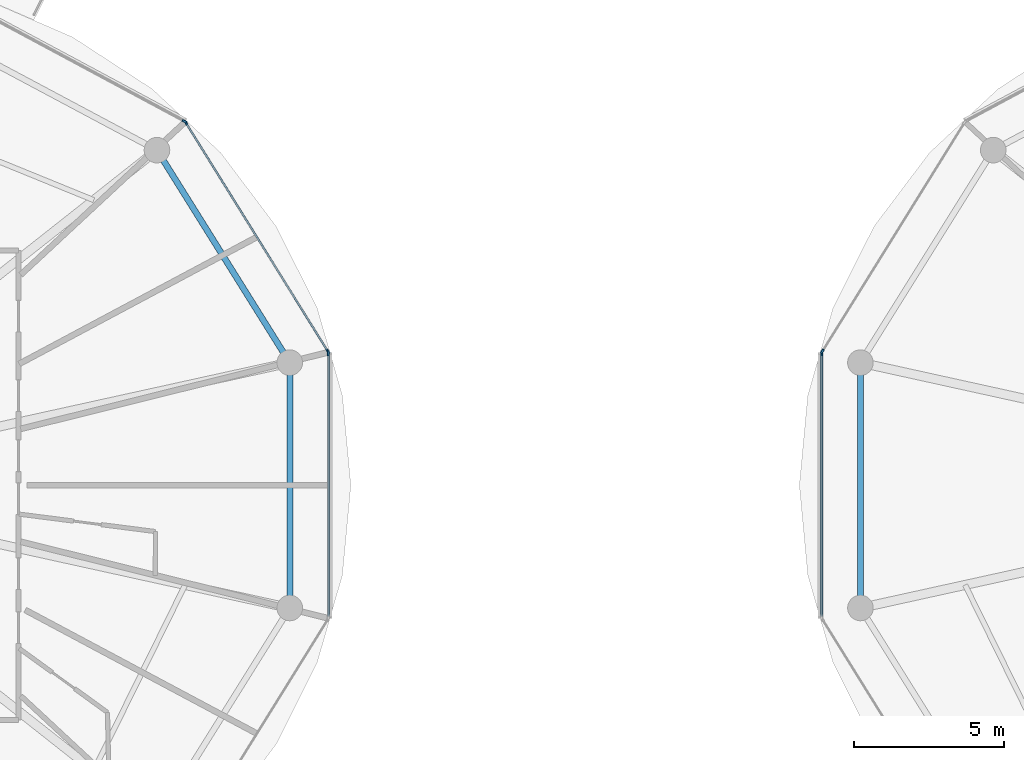
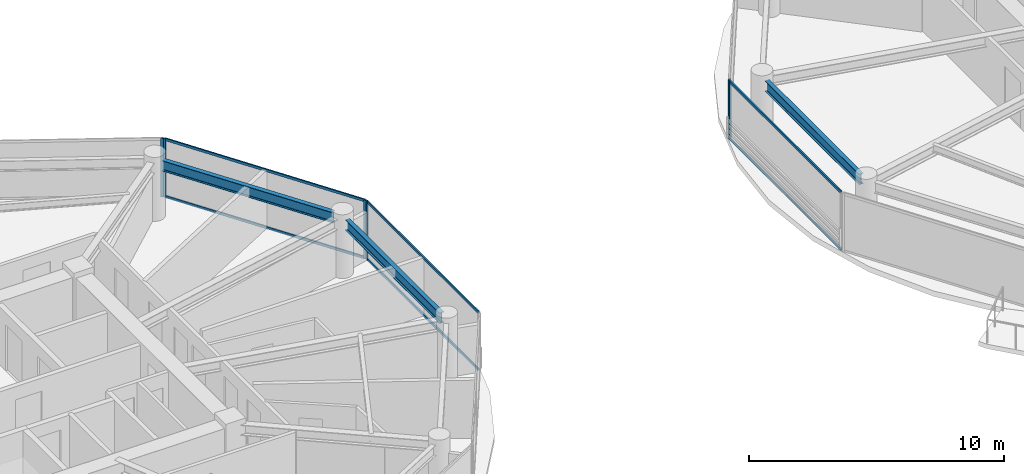
# One storey, part 7 of 24: 12 members, 3 beams, 5 elements without a shape of their own.
"""IFC4 building model written with IfcOpenShell, lengths in metres."""

from ifc_helpers import new_model, si_unit, direction, frame, origin, origin_2d, place, context, subcontext, project, spatial, rectangle, i_section, extrude, source, transform, mapped, material, layer, layer_set, material_profile, profile_set, type_object, type_shapes, element, aggregate, save


model = new_model("IFC4")

# Units and contexts
model_context = context("Model", 3, precision=1e-05, world=origin(), true_north=direction((0.0, 1.0)))
body_context = subcontext(model_context, "Body", "Model", "MODEL_VIEW")
ifc_project = project(units=[si_unit("LENGTHUNIT", "METRE"), si_unit("AREAUNIT", "SQUARE_METRE"), si_unit("VOLUMEUNIT", "CUBIC_METRE"), si_unit("PLANEANGLEUNIT", "RADIAN"), si_unit("MASSUNIT", "GRAM", prefix="KILO")], contexts=[model_context])

# Site, building, storey
site_placement = place(None, origin())
site = spatial("IfcSite", under=ifc_project, at=site_placement, CompositionType="ELEMENT")
building_placement = place(site_placement, origin())
building = spatial("IfcBuilding", under=site, at=building_placement, Name="Norrkilde Senior Care Towers", CompositionType="ELEMENT")
storey_placement = place(building_placement, frame((0.0, 0.0, 90.14990234375)))
storey = spatial("IfcBuildingStorey", under=building, at=storey_placement, Name="L27", CompositionType="ELEMENT", Elevation=90.14990234375)

# Beams
ifc_material_1 = material(Name="Steel S355", Category="steel")
ifc_material_profile_1 = material_profile(ifc_material_1, i_section(OverallWidth=0.199951171875, OverallDepth=0.5, WebThickness=0.01025390625, FlangeThickness=0.01611328125, FilletRadius=0.02099609375, at=origin_2d()), Name="IPE 500")
ifc_profile_set_1 = profile_set([ifc_material_profile_1], Name="Steel S355")
beam_type = type_object("IfcBeamType", Name="Perimeter Ring Spandrel Z2 IPE500", PredefinedType="SPANDREL", material=ifc_profile_set_1)
shared_shape_1 = source(origin(), body_context, "Body", "SweptSolid", [
    extrude(i_section(OverallWidth=0.199951171875, OverallDepth=0.5, WebThickness=0.01025390625, FlangeThickness=0.01611328125, FilletRadius=0.02099609375, at=origin_2d()), origin(), (0.0, 0.0, 1.0), 7.55615234375),
])
beam_placement = place(storey_placement, frame((-9.68505859375, 4.40283203125, 2.5400390625), z_axis=(-0.529981514254, 0.848009194849, 0.0), x_axis=(-0.848009194849, -0.529981514254, 0.0)))
element("IfcBeam", 1, at=beam_placement, inside=storey, type_object=beam_type, Name="L27 Drum W Perimeter Spandrel 01", PredefinedType="SPANDREL", context=body_context, shape_type="MappedRepresentation", body=[
    mapped(shared_shape_1, transform((0.0, 0.0, 0.0), x_axis=(1.0, 0.0, 0.0), y_axis=(0.0, 1.0, 0.0), z_axis=(0.0, 0.0, 1.0), scale=1.0)),
])
shared_shape_2 = source(origin(), body_context, "Body", "SweptSolid", [
    extrude(i_section(OverallWidth=0.199951171875, OverallDepth=0.5, WebThickness=0.01025390625, FlangeThickness=0.01611328125, FilletRadius=0.02099609375, at=origin_2d()), origin(), (0.0, 0.0, 1.0), 7.3828125),
])
type_shapes(beam_type, [shared_shape_1, shared_shape_2])
for number, where, z_axis, x_axis, name in (
    (2, (-9.48095703125, -3.69140625, 2.5400390625), (0.0, 1.0, 0.0), (-1.0, 0.0, 0.0), "L27 Drum W Perimeter Spandrel 12"),
    (3, (9.48095703125, 3.69140625, 2.5400390625), (0.0, -1.0, 0.0), (1.0, 0.0, 0.0), "L27 Drum E Perimeter Spandrel 06"),
):
    element("IfcBeam", number, at=place(storey_placement, frame(where, z_axis=z_axis, x_axis=x_axis)), inside=storey, type_object=beam_type, Name=name, PredefinedType="SPANDREL", context=body_context, shape_type="MappedRepresentation", body=[
        mapped(shared_shape_2, transform((0.0, 0.0, 0.0), x_axis=(1.0, 0.0, 0.0), y_axis=(0.0, 1.0, 0.0), z_axis=(0.0, 0.0, 1.0), scale=1.0)),
    ])

# Curtain wall, members
ifc_material_2 = material(Name="Triple Low-E Insulated Glazing", Category="glass")
ifc_layer = layer(ifc_material_2, 0.195068359375)
ifc_layer_set = layer_set([ifc_layer], Name="Triple Low-E Insulated Glazing")
curtain_wall_type = type_object("IfcCurtainWallType", Name="CW3 Zone 2 Assisted Living Curtain Wall", PredefinedType="NOTDEFINED", material=ifc_layer_set)
curtain_wall_1_placement = place(storey_placement, origin())
curtain_wall_1 = element("IfcCurtainWall", 4, at=curtain_wall_1_placement, inside=storey, type_object=curtain_wall_type, Name="L27 Drum W Curtain Wall 00", PredefinedType="NOTDEFINED")
ifc_material_3 = material(Name="Anodised Aluminium", Category="aluminium")
ifc_material_profile_2 = material_profile(ifc_material_3, rectangle(XDim=0.06494140625, YDim=0.159912109375, at=origin_2d()), Name="ALU MULL 65x160")
ifc_profile_set_2 = profile_set([ifc_material_profile_2], Name="Anodised Aluminium")
member_type_1 = type_object("IfcMemberType", Name="Curtain Wall Mullion Z1-Z2 65x160", PredefinedType="MULLION", material=ifc_profile_set_2)
shared_shape_3 = source(origin(), body_context, "Body", "SweptSolid", [
    extrude(rectangle(XDim=0.06494140625, YDim=0.159912109375, at=origin_2d()), origin(), (0.0, 0.0, 1.0), 2.7900390625),
])
type_shapes(member_type_1, [shared_shape_3])
member_1_placement = place(storey_placement, frame((-12.936279296875, 12.0498046875, 0.0), z_axis=(0.0, 0.0, 1.0), x_axis=(0.849410171862, 0.527733228002, 0.0)))
member_1 = element("IfcMember", 5, at=member_1_placement, type_object=member_type_1, Name="CW-3 mullion 1", PredefinedType="MULLION", context=body_context, shape_type="MappedRepresentation", body=[
    mapped(shared_shape_3, transform((0.0, 0.0, 0.0), x_axis=(1.0, 0.0, 0.0), y_axis=(0.0, 1.0, 0.0), z_axis=(0.0, 0.0, 1.0), scale=1.0)),
])
member_2_placement = place(storey_placement, frame((-8.21337890625, 4.4482421875, 0.0), z_axis=(0.0, 0.0, 1.0), x_axis=(0.849410171862, 0.527733228002, 0.0)))
member_2 = element("IfcMember", 6, at=member_2_placement, type_object=member_type_1, Name="CW-3 mullion 2", PredefinedType="MULLION", context=body_context, shape_type="MappedRepresentation", body=[
    mapped(shared_shape_3, transform((0.0, 0.0, 0.0), x_axis=(1.0, 0.0, 0.0), y_axis=(0.0, 1.0, 0.0), z_axis=(0.0, 0.0, 1.0), scale=1.0)),
])

# Curtain wall, member
curtain_wall_2_placement = place(storey_placement, origin())
curtain_wall_2 = element("IfcCurtainWall", 7, at=curtain_wall_2_placement, inside=storey, type_object=curtain_wall_type, Name="L27 Drum W Curtain Wall 01", PredefinedType="NOTDEFINED")
member_3_placement = place(storey_placement, frame((-12.98193359375, 12.0927734375, 0.0), z_axis=(0.0, 0.0, 1.0), x_axis=(0.472769402511, 0.881186184668, 0.0)))
member_3 = element("IfcMember", 8, at=member_3_placement, type_object=member_type_1, Name="CW-3 mullion 2", PredefinedType="MULLION", context=body_context, shape_type="MappedRepresentation", body=[
    mapped(shared_shape_3, transform((0.0, 0.0, 0.0), x_axis=(1.0, 0.0, 0.0), y_axis=(0.0, 1.0, 0.0), z_axis=(0.0, 0.0, 1.0), scale=1.0)),
])
aggregate(curtain_wall_2, [member_3])

curtain_wall_3_placement = place(storey_placement, origin())
curtain_wall_3 = element("IfcCurtainWall", 9, at=curtain_wall_3_placement, inside=storey, type_object=curtain_wall_type, Name="L27 Drum W Curtain Wall 11", PredefinedType="NOTDEFINED")
member_4_placement = place(storey_placement, frame((-8.1962890625, 4.38818359375, 0.0), z_axis=(0.0, 0.0, 1.0), x_axis=(1.0, 0.0, 0.0)))
member_4 = element("IfcMember", 10, at=member_4_placement, type_object=member_type_1, Name="CW-3 mullion 1", PredefinedType="MULLION", context=body_context, shape_type="MappedRepresentation", body=[
    mapped(shared_shape_3, transform((0.0, 0.0, 0.0), x_axis=(1.0, 0.0, 0.0), y_axis=(0.0, 1.0, 0.0), z_axis=(0.0, 0.0, 1.0), scale=1.0)),
])

curtain_wall_4_placement = place(storey_placement, origin())
curtain_wall_4 = element("IfcCurtainWall", 11, at=curtain_wall_4_placement, inside=storey, type_object=curtain_wall_type, Name="L27 Drum E Curtain Wall 04", PredefinedType="NOTDEFINED")
member_5_placement = place(storey_placement, frame((8.21337890625, 4.4482421875, 0.0), z_axis=(0.0, 0.0, 1.0), x_axis=(-0.849410171862, 0.527733228002, 0.0)))
member_5 = element("IfcMember", 12, at=member_5_placement, type_object=member_type_1, Name="CW-3 mullion 1", PredefinedType="MULLION", context=body_context, shape_type="MappedRepresentation", body=[
    mapped(shared_shape_3, transform((0.0, 0.0, 0.0), x_axis=(1.0, 0.0, 0.0), y_axis=(0.0, 1.0, 0.0), z_axis=(0.0, 0.0, 1.0), scale=1.0)),
])
aggregate(curtain_wall_4, [member_5])

curtain_wall_5_placement = place(storey_placement, origin())
curtain_wall_5 = element("IfcCurtainWall", 13, at=curtain_wall_5_placement, inside=storey, type_object=curtain_wall_type, Name="L27 Drum E Curtain Wall 05", PredefinedType="NOTDEFINED")
member_6_placement = place(storey_placement, frame((8.1962890625, 4.38818359375, 0.0), z_axis=(0.0, 0.0, 1.0), x_axis=(-1.0, 0.0, 0.0)))
member_6 = element("IfcMember", 14, at=member_6_placement, type_object=member_type_1, Name="CW-3 mullion 2", PredefinedType="MULLION", context=body_context, shape_type="MappedRepresentation", body=[
    mapped(shared_shape_3, transform((0.0, 0.0, 0.0), x_axis=(1.0, 0.0, 0.0), y_axis=(0.0, 1.0, 0.0), z_axis=(0.0, 0.0, 1.0), scale=1.0)),
])

# Member
ifc_material_profile_3 = material_profile(ifc_material_3, rectangle(XDim=0.06005859375, YDim=0.1201171875, at=origin_2d()), Name="ALU TRAN 60x120")
ifc_profile_set_3 = profile_set([ifc_material_profile_3], Name="Anodised Aluminium")
member_type_2 = type_object("IfcMemberType", Name="Curtain Wall Transom Typical 60x120", PredefinedType="USERDEFINED", material=ifc_profile_set_3)
shared_shape_4 = source(origin(), body_context, "Body", "SweptSolid", [
    extrude(rectangle(XDim=0.06005859375, YDim=0.1201171875, at=origin_2d()), origin(), (0.0, 0.0, 1.0), 8.88427734375),
])
member_7_placement = place(storey_placement, frame((-12.919189453125, 12.022216796875, 0.030029296875), z_axis=(0.527749293309, -0.849400190377, 0.0), x_axis=(0.849400190377, 0.527749293309, 0.0)))
member_7 = element("IfcMember", 15, at=member_7_placement, type_object=member_type_2, Name="CW-3 transom 1.1", ObjectType="TRANSOM", PredefinedType="USERDEFINED", context=body_context, shape_type="MappedRepresentation", body=[
    mapped(shared_shape_4, transform((0.0, 0.0, 0.0), x_axis=(1.0, 0.0, 0.0), y_axis=(0.0, 1.0, 0.0), z_axis=(0.0, 0.0, 1.0), scale=1.0)),
])

member_8_placement = place(storey_placement, frame((-12.919189453125, 12.022216796875, 2.760009765625), z_axis=(0.527749293309, -0.849400190377, 0.0), x_axis=(0.849400190377, 0.527749293309, 0.0)))
member_8 = element("IfcMember", 16, at=member_8_placement, type_object=member_type_2, Name="CW-3 transom 1.2", ObjectType="TRANSOM", PredefinedType="USERDEFINED", context=body_context, shape_type="MappedRepresentation", body=[
    mapped(shared_shape_4, transform((0.0, 0.0, 0.0), x_axis=(1.0, 0.0, 0.0), y_axis=(0.0, 1.0, 0.0), z_axis=(0.0, 0.0, 1.0), scale=1.0)),
])

aggregate(curtain_wall_1, [member_1, member_2, member_7, member_8])

shared_shape_5 = source(origin(), body_context, "Body", "SweptSolid", [
    extrude(rectangle(XDim=0.06005859375, YDim=0.1201171875, at=origin_2d()), origin(), (0.0, 0.0, 1.0), 8.71142578125),
])
type_shapes(member_type_2, [shared_shape_4, shared_shape_5])
member_9_placement = place(storey_placement, frame((-8.1962890625, 4.355712890625, 0.030029296875), z_axis=(0.0, -1.0, 0.0), x_axis=(1.0, 0.0, 0.0)))
member_9 = element("IfcMember", 17, at=member_9_placement, type_object=member_type_2, Name="CW-3 transom 1.1", ObjectType="TRANSOM", PredefinedType="USERDEFINED", context=body_context, shape_type="MappedRepresentation", body=[
    mapped(shared_shape_5, transform((0.0, 0.0, 0.0), x_axis=(1.0, 0.0, 0.0), y_axis=(0.0, 1.0, 0.0), z_axis=(0.0, 0.0, 1.0), scale=1.0)),
])

member_10_placement = place(storey_placement, frame((-8.1962890625, 4.355712890625, 2.760009765625), z_axis=(0.0, -1.0, 0.0), x_axis=(1.0, 0.0, 0.0)))
member_10 = element("IfcMember", 18, at=member_10_placement, type_object=member_type_2, Name="CW-3 transom 1.2", ObjectType="TRANSOM", PredefinedType="USERDEFINED", context=body_context, shape_type="MappedRepresentation", body=[
    mapped(shared_shape_5, transform((0.0, 0.0, 0.0), x_axis=(1.0, 0.0, 0.0), y_axis=(0.0, 1.0, 0.0), z_axis=(0.0, 0.0, 1.0), scale=1.0)),
])

aggregate(curtain_wall_3, [member_4, member_9, member_10])

member_11_placement = place(storey_placement, frame((8.1962890625, -4.355712890625, 0.030029296875), z_axis=(0.0, 1.0, 0.0), x_axis=(-1.0, 0.0, 0.0)))
member_11 = element("IfcMember", 19, at=member_11_placement, type_object=member_type_2, Name="CW-3 transom 1.1", ObjectType="TRANSOM", PredefinedType="USERDEFINED", context=body_context, shape_type="MappedRepresentation", body=[
    mapped(shared_shape_5, transform((0.0, 0.0, 0.0), x_axis=(1.0, 0.0, 0.0), y_axis=(0.0, 1.0, 0.0), z_axis=(0.0, 0.0, 1.0), scale=1.0)),
])

member_12_placement = place(storey_placement, frame((8.1962890625, -4.355712890625, 2.760009765625), z_axis=(0.0, 1.0, 0.0), x_axis=(-1.0, 0.0, 0.0)))
member_12 = element("IfcMember", 20, at=member_12_placement, type_object=member_type_2, Name="CW-3 transom 1.2", ObjectType="TRANSOM", PredefinedType="USERDEFINED", context=body_context, shape_type="MappedRepresentation", body=[
    mapped(shared_shape_5, transform((0.0, 0.0, 0.0), x_axis=(1.0, 0.0, 0.0), y_axis=(0.0, 1.0, 0.0), z_axis=(0.0, 0.0, 1.0), scale=1.0)),
])

aggregate(curtain_wall_5, [member_6, member_11, member_12])

save(model, "model.ifc")
